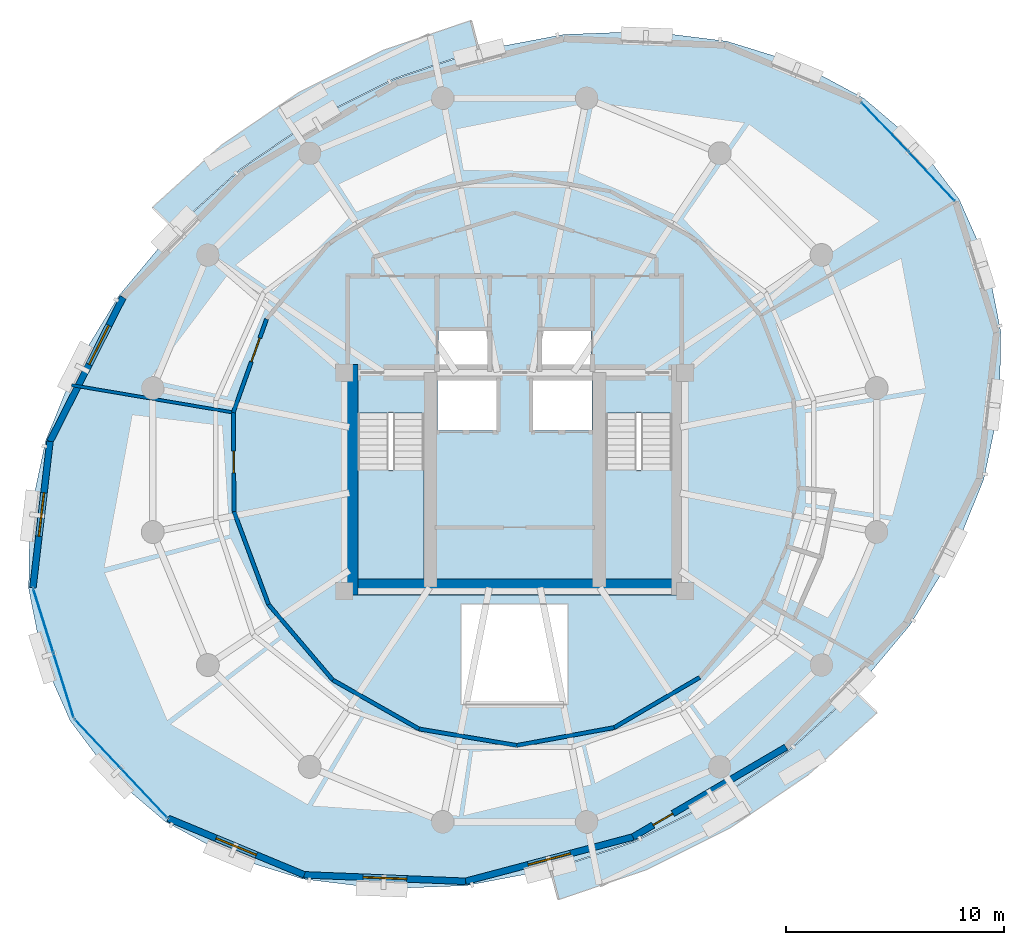
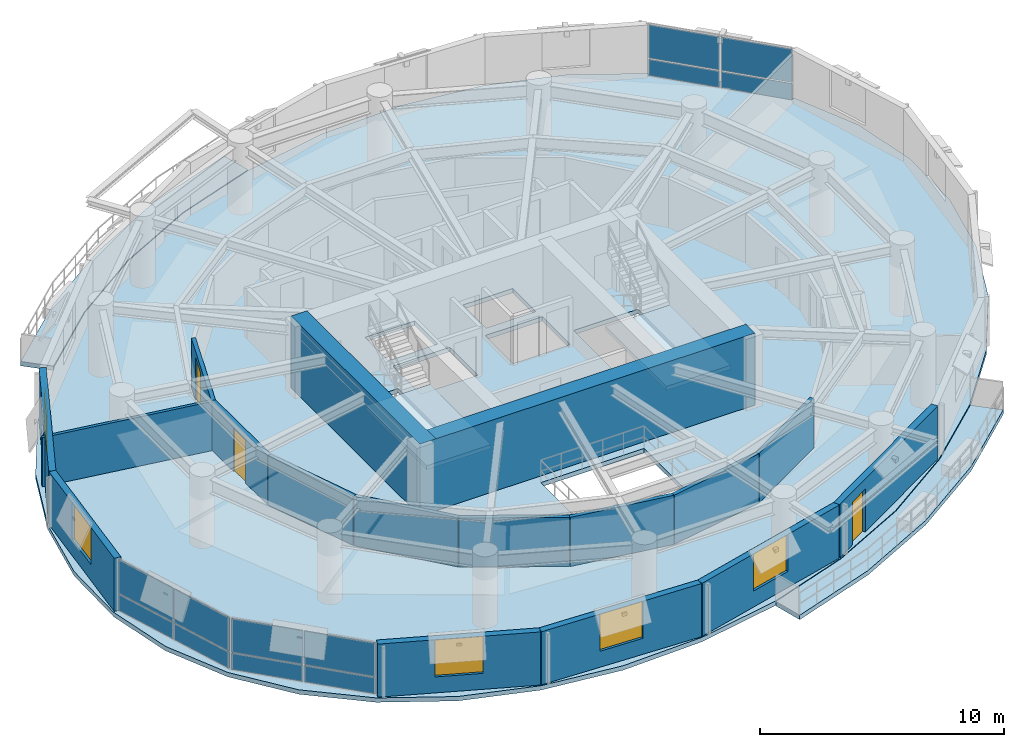
# One storey, part 9 of 14: 17 walls, 12 plates, 5 slabs, 5 windows, 3 doors, 8 openings, 5 elements without a shape of their own.
"""IFC4 building model written with IfcOpenShell, lengths in metres."""

from ifc_helpers import new_model, si_unit, direction, frame, frame_2d, origin, origin_2d, place, context, subcontext, project, spatial, polyline, rectangle, outline, extrude, material, layer, layer_set, type_object, element, fill, aggregate, save


model = new_model("IFC4")

# Units and contexts
model_context = context("Model", 3, precision=1e-05, world=origin(), true_north=direction((0.0, 1.0)))
body_context = subcontext(model_context, "Body", "Model", "MODEL_VIEW")
ifc_project = project(units=[si_unit("LENGTHUNIT", "METRE"), si_unit("AREAUNIT", "SQUARE_METRE"), si_unit("VOLUMEUNIT", "CUBIC_METRE"), si_unit("PLANEANGLEUNIT", "RADIAN"), si_unit("MASSUNIT", "GRAM", prefix="KILO"), si_unit("THERMODYNAMICTEMPERATUREUNIT", "KELVIN"), si_unit("POWERUNIT", "WATT")], contexts=[model_context])

# Site, building, storey
site_placement = place(None, origin())
site = spatial("IfcSite", under=ifc_project, at=site_placement, CompositionType="ELEMENT")
building_placement = place(site_placement, origin())
building = spatial("IfcBuilding", under=site, at=building_placement, Name="Ocrelia Relay Tower", CompositionType="ELEMENT")
storey_placement = place(building_placement, frame((0.0, 0.0, 162.800048828125)))
storey = spatial("IfcBuildingStorey", under=building, at=storey_placement, Name="L38", CompositionType="ELEMENT", Elevation=162.800048828125)

# Curtain wall, plates
ifc_material_1 = material(Name="Aluminium and solar-control low-E glass", Category="aluminium")
ifc_layer_1 = layer(ifc_material_1, 0.179931640625, Name="Aluminium and solar-control low-E glass")
ifc_layer_set_1 = layer_set([ifc_layer_1], Name="Aluminium and solar-control low-E glass")
curtain_wall_type = type_object("IfcCurtainWallType", Name="CW-SYS-Z3-CLOU", PredefinedType="NOTDEFINED", material=ifc_layer_set_1)
curtain_wall_1_placement = place(storey_placement, origin())
curtain_wall_1 = element("IfcCurtainWall", 1, at=curtain_wall_1_placement, inside=storey, type_object=curtain_wall_type, Name="L38 Elliptical Tower Curtain Wall Bay 01", PredefinedType="NOTDEFINED")
ifc_material_2 = material(Name="Clear double-glazed low-E glass", Category="glass")
ifc_layer_2 = layer(ifc_material_2, 0.031982421875, Name="Clear double-glazed low-E glass")
ifc_layer_set_2 = layer_set([ifc_layer_2], Name="Clear double-glazed low-E glass")
plate_type = type_object("IfcPlateType", Name="CW-SYS-Z3-CLOU-PNL", PredefinedType="CURTAIN_PANEL", material=ifc_layer_set_2)
plate_1_placement = place(storey_placement, frame((53.0927734375, 38.99462890625, 0.059814453125), z_axis=(0.0, 0.0, 1.0), x_axis=(-0.686840832526, 0.726807863727, 0.0)))
plate_1 = element("IfcPlate", 2, at=plate_1_placement, type_object=plate_type, Name="CW-Z3 panel 1.1", PredefinedType="CURTAIN_PANEL", context=body_context, shape_type="SweptSolid", body=[
    extrude(rectangle(XDim=3.0439453125, YDim=0.031982421875, at=origin_2d()), origin(), (0.0, 0.0, 1.0), 0.81005859375),
])
plate_2_placement = place(storey_placement, frame((53.0927734375, 38.99462890625, 0.929931640625), z_axis=(0.0, 0.0, 1.0), x_axis=(-0.686840832526, 0.726807863727, 0.0)))
plate_2 = element("IfcPlate", 3, at=plate_2_placement, type_object=plate_type, Name="CW-Z3 panel 1.2", PredefinedType="CURTAIN_PANEL", context=body_context, shape_type="SweptSolid", body=[
    extrude(rectangle(XDim=3.0439453125, YDim=0.031982421875, at=origin_2d()), origin(), (0.0, 0.0, 1.0), 1.669921875),
])
plate_3_placement = place(storey_placement, frame((50.95751953125, 41.254150390625, 0.059814453125), z_axis=(0.0, 0.0, 1.0), x_axis=(-0.686840832526, 0.726807863727, 0.0)))
plate_3 = element("IfcPlate", 4, at=plate_3_placement, type_object=plate_type, Name="CW-Z3 panel 2.1", PredefinedType="CURTAIN_PANEL", context=body_context, shape_type="SweptSolid", body=[
    extrude(rectangle(XDim=3.0439453125, YDim=0.031982421875, at=origin_2d()), origin(), (0.0, 0.0, 1.0), 0.81005859375),
])
plate_4_placement = place(storey_placement, frame((50.95751953125, 41.254150390625, 0.929931640625), z_axis=(0.0, 0.0, 1.0), x_axis=(-0.686840832526, 0.726807863727, 0.0)))
plate_4 = element("IfcPlate", 5, at=plate_4_placement, type_object=plate_type, Name="CW-Z3 panel 2.2", PredefinedType="CURTAIN_PANEL", context=body_context, shape_type="SweptSolid", body=[
    extrude(rectangle(XDim=3.0439453125, YDim=0.031982421875, at=origin_2d()), origin(), (0.0, 0.0, 1.0), 1.669921875),
])
aggregate(curtain_wall_1, [plate_1, plate_2, plate_3, plate_4])

curtain_wall_2_placement = place(storey_placement, origin())
curtain_wall_2 = element("IfcCurtainWall", 6, at=curtain_wall_2_placement, inside=storey, type_object=curtain_wall_type, Name="L38 Elliptical Tower Curtain Wall Bay 09", PredefinedType="NOTDEFINED")
plate_5_placement = place(storey_placement, frame((12.411376953125, 18.63916015625, 0.059814453125), z_axis=(0.0, 0.0, 1.0), x_axis=(0.299375021731, -0.954135523059, 0.0)))
plate_5 = element("IfcPlate", 7, at=plate_5_placement, type_object=plate_type, Name="CW-Z3 panel 1.1", PredefinedType="CURTAIN_PANEL", context=body_context, shape_type="SweptSolid", body=[
    extrude(rectangle(XDim=3.0439453125, YDim=0.031982421875, at=origin_2d()), origin(), (0.0, 0.0, 1.0), 0.81005859375),
])
plate_6_placement = place(storey_placement, frame((12.411376953125, 18.63916015625, 0.929931640625), z_axis=(0.0, 0.0, 1.0), x_axis=(0.299375021731, -0.954135523059, 0.0)))
plate_6 = element("IfcPlate", 8, at=plate_6_placement, type_object=plate_type, Name="CW-Z3 panel 1.2", PredefinedType="CURTAIN_PANEL", context=body_context, shape_type="SweptSolid", body=[
    extrude(rectangle(XDim=3.0439453125, YDim=0.031982421875, at=origin_2d()), origin(), (0.0, 0.0, 1.0), 1.669921875),
])
plate_7_placement = place(storey_placement, frame((13.342041015625, 15.6728515625, 0.059814453125), z_axis=(0.0, 0.0, 1.0), x_axis=(0.299375021731, -0.954135523059, 0.0)))
plate_7 = element("IfcPlate", 9, at=plate_7_placement, type_object=plate_type, Name="CW-Z3 panel 2.1", PredefinedType="CURTAIN_PANEL", context=body_context, shape_type="SweptSolid", body=[
    extrude(rectangle(XDim=3.0439453125, YDim=0.031982421875, at=origin_2d()), origin(), (0.0, 0.0, 1.0), 0.81005859375),
])
plate_8_placement = place(storey_placement, frame((13.342041015625, 15.6728515625, 0.929931640625), z_axis=(0.0, 0.0, 1.0), x_axis=(0.299375021731, -0.954135523059, 0.0)))
plate_8 = element("IfcPlate", 10, at=plate_8_placement, type_object=plate_type, Name="CW-Z3 panel 2.2", PredefinedType="CURTAIN_PANEL", context=body_context, shape_type="SweptSolid", body=[
    extrude(rectangle(XDim=3.0439453125, YDim=0.031982421875, at=origin_2d()), origin(), (0.0, 0.0, 1.0), 1.669921875),
])
aggregate(curtain_wall_2, [plate_5, plate_6, plate_7, plate_8])

curtain_wall_3_placement = place(storey_placement, origin())
curtain_wall_3 = element("IfcCurtainWall", 11, at=curtain_wall_3_placement, inside=storey, type_object=curtain_wall_type, Name="L38 Elliptical Tower Curtain Wall Bay 10", PredefinedType="NOTDEFINED")
plate_9_placement = place(storey_placement, frame((14.9072265625, 13.00537109375, 0.059814453125), z_axis=(0.0, 0.0, 1.0), x_axis=(0.686840832526, -0.726807863727, 0.0)))
plate_9 = element("IfcPlate", 12, at=plate_9_placement, type_object=plate_type, Name="CW-Z3 panel 1.1", PredefinedType="CURTAIN_PANEL", context=body_context, shape_type="SweptSolid", body=[
    extrude(rectangle(XDim=3.0439453125, YDim=0.031982421875, at=origin_2d()), origin(), (0.0, 0.0, 1.0), 0.81005859375),
])
plate_10_placement = place(storey_placement, frame((14.9072265625, 13.00537109375, 0.929931640625), z_axis=(0.0, 0.0, 1.0), x_axis=(0.686840832526, -0.726807863727, 0.0)))
plate_10 = element("IfcPlate", 13, at=plate_10_placement, type_object=plate_type, Name="CW-Z3 panel 1.2", PredefinedType="CURTAIN_PANEL", context=body_context, shape_type="SweptSolid", body=[
    extrude(rectangle(XDim=3.0439453125, YDim=0.031982421875, at=origin_2d()), origin(), (0.0, 0.0, 1.0), 1.669921875),
])
plate_11_placement = place(storey_placement, frame((17.04248046875, 10.745849609375, 0.059814453125), z_axis=(0.0, 0.0, 1.0), x_axis=(0.686840832526, -0.726807863727, 0.0)))
plate_11 = element("IfcPlate", 14, at=plate_11_placement, type_object=plate_type, Name="CW-Z3 panel 2.1", PredefinedType="CURTAIN_PANEL", context=body_context, shape_type="SweptSolid", body=[
    extrude(rectangle(XDim=3.0439453125, YDim=0.031982421875, at=origin_2d()), origin(), (0.0, 0.0, 1.0), 0.81005859375),
])
plate_12_placement = place(storey_placement, frame((17.04248046875, 10.745849609375, 0.929931640625), z_axis=(0.0, 0.0, 1.0), x_axis=(0.686840832526, -0.726807863727, 0.0)))
plate_12 = element("IfcPlate", 15, at=plate_12_placement, type_object=plate_type, Name="CW-Z3 panel 2.2", PredefinedType="CURTAIN_PANEL", context=body_context, shape_type="SweptSolid", body=[
    extrude(rectangle(XDim=3.0439453125, YDim=0.031982421875, at=origin_2d()), origin(), (0.0, 0.0, 1.0), 1.669921875),
])
aggregate(curtain_wall_3, [plate_9, plate_10, plate_11, plate_12])

# Slabs
ifc_material_3 = material(Name="Precast concrete C40/50", Category="concrete")
ifc_layer_3 = layer(ifc_material_3, 0.219970703125, Name="Precast concrete C40/50")
ifc_layer_set_3 = layer_set([ifc_layer_3], Name="Precast concrete C40/50")
slab_type_1 = type_object("IfcSlabType", Name="SL-BALC-220", PredefinedType="FLOOR", material=ifc_layer_set_3)
slab_1_placement = place(storey_placement, frame((0.0, 0.0, -0.219970703125)))
element("IfcSlab", 16, at=slab_1_placement, inside=storey, type_object=slab_type_1, Name="L38 Planted Loggia Balcony B1", PredefinedType="FLOOR", context=body_context, shape_type="SweptSolid", body=[
    extrude(outline(polyline([(32.347412109375, 44.78369140625), (30.42529296875, 44.129638671875), (28.5029296875, 43.475830078125), (24.82568359375, 41.637451171875), (21.4267578125, 39.32421875), (19.918212890625, 37.96533203125), (18.409423828125, 36.6064453125), (17.406494140625, 37.573486328125), (18.986572265625, 38.996826171875), (20.566650390625, 40.420166015625), (24.12060546875, 42.839111328125), (27.9658203125, 44.761474609375), (29.979248046875, 45.4462890625), (31.99267578125, 46.131103515625), (32.347412109375, 44.78369140625)])), origin(), (0.0, 0.0, 1.0), 0.219970703125),
])
slab_2_placement = place(storey_placement, frame((0.0, 0.0, -0.219970703125)))
element("IfcSlab", 17, at=slab_2_placement, inside=storey, type_object=slab_type_1, Name="L38 Planted Loggia Balcony B2", PredefinedType="FLOOR", context=body_context, shape_type="SweptSolid", body=[
    extrude(outline(polyline([(35.652587890625, 7.21630859375), (37.57470703125, 7.870361328125), (39.4970703125, 8.524169921875), (43.17431640625, 10.362548828125), (46.5732421875, 12.67578125), (48.081787109375, 14.03466796875), (49.590576171875, 15.3935546875), (50.593505859375, 14.426513671875), (49.013427734375, 13.003173828125), (47.433349609375, 11.579833984375), (43.87939453125, 9.160888671875), (40.0341796875, 7.238525390625), (38.020751953125, 6.5537109375), (36.00732421875, 5.868896484375), (35.652587890625, 7.21630859375)])), origin(), (0.0, 0.0, 1.0), 0.219970703125),
])
ifc_material_4 = material(Name="Concrete C50/60", Category="concrete")
ifc_layer_4 = layer(ifc_material_4, 0.219970703125, Name="Concrete C50/60")
ifc_layer_set_4 = layer_set([ifc_layer_4], Name="Concrete C50/60")
slab_type_2 = type_object("IfcSlabType", Name="SL-FLR-220", PredefinedType="FLOOR", material=ifc_layer_set_4)
slab_3_placement = place(storey_placement, frame((0.0, 0.0, -0.219970703125)))
element("IfcSlab", 18, at=slab_3_placement, inside=storey, type_object=slab_type_2, Name="L38 Elliptical Tower Floor Slab", PredefinedType="FLOOR", context=body_context, shape_type="SweptSolid", body=[
    extrude(outline(polyline([(54.355224609375, 37.9423828125), (52.45556640625, 40.471923828125), (49.9951171875, 42.5615234375), (47.048583984375, 44.148193359375), (43.705810546875, 45.183349609375), (40.06787109375, 45.635498046875), (36.24560546875, 45.4912109375), (32.35498046875, 44.75439453125), (28.5146484375, 43.447998046875), (24.8408203125, 41.611572265625), (21.4453125, 39.300537109375), (18.43115234375, 36.58544921875), (15.89013671875, 33.548828125), (13.8994140625, 30.28271484375), (12.51953125, 26.886474609375), (11.792236328125, 23.46337890625), (11.739501953125, 20.1171875), (12.36328125, 16.949951171875), (13.644775390625, 14.0576171875), (15.54443359375, 11.528076171875), (18.0048828125, 9.4384765625), (20.951416015625, 7.851806640625), (24.294189453125, 6.816650390625), (27.93212890625, 6.364501953125), (31.75439453125, 6.5087890625), (35.64501953125, 7.24560546875), (39.4853515625, 8.552001953125), (43.1591796875, 10.388427734375), (46.5546875, 12.699462890625), (49.56884765625, 15.41455078125), (52.10986328125, 18.451171875), (54.1005859375, 21.71728515625), (55.48046875, 25.113525390625), (56.207763671875, 28.53662109375), (56.260498046875, 31.8828125), (55.63671875, 35.050048828125), (54.355224609375, 37.9423828125)]), holes=[polyline([(26.81005859375, 28.14990234375), (26.81005859375, 20.550048828125), (29.85009765625, 20.550048828125), (29.85009765625, 28.14990234375), (26.81005859375, 28.14990234375)]), polyline([(38.159912109375, 28.14990234375), (38.159912109375, 20.550048828125), (41.199951171875, 20.550048828125), (41.199951171875, 28.14990234375), (38.159912109375, 28.14990234375)]), polyline([(30.4599609375, 27.35009765625), (33.159912109375, 27.35009765625), (33.159912109375, 29.64990234375), (30.4599609375, 29.64990234375), (30.4599609375, 27.35009765625)]), polyline([(34.840087890625, 27.35009765625), (37.5400390625, 27.35009765625), (37.5400390625, 29.64990234375), (34.840087890625, 29.64990234375), (34.840087890625, 27.35009765625)]), polyline([(30.5, 30.10009765625), (32.85009765625, 30.10009765625), (32.85009765625, 32.0), (30.5, 32.0), (30.5, 30.10009765625)]), polyline([(35.14990234375, 30.10009765625), (37.5, 30.10009765625), (37.5, 32.0), (35.14990234375, 32.0), (35.14990234375, 30.10009765625)]), polyline([(31.550048828125, 14.800048828125), (36.449951171875, 14.800048828125), (36.449951171875, 19.39990234375), (31.550048828125, 19.39990234375), (31.550048828125, 14.800048828125)])]), origin(), (0.0, 0.0, 1.0), 0.219970703125),
])

# Stair, slab
stair_type = type_object("IfcStairType", Name="ST-DL-1420-R180", PredefinedType="HALF_TURN_STAIR", material=ifc_material_4)
stair_1_placement = place(storey_placement, origin())
stair_1 = element("IfcStair", 19, at=stair_1_placement, inside=storey, type_object=stair_type, Name="L38 West Core Exit Stair ST1", PredefinedType="HALF_TURN_STAIR")
ifc_layer_5 = layer(ifc_material_4, 0.199951171875, Name="Concrete C50/60")
ifc_layer_set_5 = layer_set([ifc_layer_5], Name="Concrete C50/60")
slab_type_3 = type_object("IfcSlabType", Name="SL-LANDING-200", PredefinedType="LANDING", material=ifc_layer_set_5)
slab_4_placement = place(storey_placement, frame((0.0, 0.0, 1.599853515625)))
slab_4 = element("IfcSlab", 20, at=slab_4_placement, type_object=slab_type_3, Name="ST1 landing 1", PredefinedType="LANDING", context=body_context, shape_type="SweptSolid", body=[
    extrude(outline(polyline([(26.81005859375, 25.5400390625), (26.81005859375, 20.550048828125), (29.85009765625, 20.550048828125), (29.85009765625, 25.5400390625), (26.81005859375, 25.5400390625)])), origin(), (0.0, 0.0, 1.0), 0.2001953125),
])
aggregate(stair_1, [slab_4])

stair_2_placement = place(storey_placement, origin())
stair_2 = element("IfcStair", 21, at=stair_2_placement, inside=storey, type_object=stair_type, Name="L38 East Core Exit Stair ST2", PredefinedType="HALF_TURN_STAIR")
slab_5_placement = place(storey_placement, frame((0.0, 0.0, 1.599853515625)))
slab_5 = element("IfcSlab", 22, at=slab_5_placement, type_object=slab_type_3, Name="ST2 landing 1", PredefinedType="LANDING", context=body_context, shape_type="SweptSolid", body=[
    extrude(outline(polyline([(38.159912109375, 25.5400390625), (38.159912109375, 20.550048828125), (41.199951171875, 20.550048828125), (41.199951171875, 25.5400390625), (38.159912109375, 25.5400390625)])), origin(), (0.0, 0.0, 1.0), 0.2001953125),
])
aggregate(stair_2, [slab_5])

# Walls
ifc_material_5 = material(Name="Concrete C60/75", Category="concrete")
ifc_layer_6 = layer(ifc_material_5, 0.75, Name="Concrete C60/75")
ifc_layer_set_6 = layer_set([ifc_layer_6], Name="Concrete C60/75")
wall_type_1 = type_object("IfcWallType", Name="CW-CORE-750", PredefinedType="SHEAR", material=ifc_layer_set_6)
wall_1_placement = place(storey_placement, frame((26.072021484375, 20.18701171875, 0.0), z_axis=(0.0, 0.0, 1.0), x_axis=(1.0, 0.0, 0.0)))
element("IfcWall", 23, at=wall_1_placement, inside=storey, type_object=wall_type_1, Name="L38 Core Shear Wall S", PredefinedType="SHEAR", context=body_context, shape_type="SweptSolid", body=[
    extrude(rectangle(XDim=15.865966796875, YDim=0.75, at=frame_2d((7.93310546875, 0.0))), origin(), (0.0, 0.0, 1.0), 3.599853515625),
])
wall_2_placement = place(storey_placement, frame((26.447021484375, 19.81201171875, 0.0), z_axis=(0.0, 0.0, 1.0), x_axis=(0.0, 1.0, 0.0)))
element("IfcWall", 24, at=wall_2_placement, inside=storey, type_object=wall_type_1, Name="L38 Core Shear Wall W", PredefinedType="SHEAR", context=body_context, shape_type="SweptSolid", body=[
    extrude(rectangle(XDim=10.575927734375, YDim=0.75, at=frame_2d((5.2880859375, 0.0))), origin(), (0.0, 0.0, 1.0), 3.599853515625),
])

# Wall, opening, door
ifc_material_6 = material(Name="Gypsum Fireboard Partition EI60", Category="gypsum")
ifc_layer_7 = layer(ifc_material_6, 0.179931640625, Name="Gypsum Fireboard Partition EI60")
ifc_layer_set_7 = layer_set([ifc_layer_7], Name="Gypsum Fireboard Partition EI60")
wall_type_2 = type_object("IfcWallType", Name="W-CORR-EI60-180", PredefinedType="PARTITIONING", material=ifc_layer_set_7)
wall_3_placement = place(storey_placement, frame((22.6357421875, 32.455810546875, 0.0), z_axis=(0.0, 0.0, 1.0), x_axis=(-0.335460593336, -0.942054239584, 0.0)))
wall_3 = element("IfcWall", 25, at=wall_3_placement, inside=storey, type_object=wall_type_2, Name="L38 Cloud Engineering Workspace Corridor Partition 7", PredefinedType="PARTITIONING", context=body_context, shape_type="SweptSolid", body=[
    extrude(rectangle(XDim=4.5390625, YDim=0.179931640625, at=frame_2d((2.26953125, 0.0))), origin(), (0.0, 0.0, 1.0), 2.4599609375),
])
opening_1_placement = place(wall_3_placement, frame((0.92236328125, 0.0, 0.0)))
opening_1 = element("IfcOpeningElement", 26, at=opening_1_placement, cuts=wall_3, Name="Opening D-RM115", PredefinedType="OPENING", context=body_context, shape_type="SweptSolid", body=[
    extrude(rectangle(XDim=1.14990234375, YDim=2.14990234375, at=frame_2d((0.574951171875, 1.074951171875))), frame((0.0, 0.10009765625, 0.0), z_axis=(0.0, -1.0, 0.0), x_axis=(1.0, 0.0, 0.0)), (0.0, 0.0, 1.0), 0.199951171875),
])
ifc_material_7 = material(Name="Wide acoustic oak veneer fire door", Category="wood")
door_type_1 = type_object("IfcDoorType", Name="DR-ROOM-1150", OperationType="NOTDEFINED", PredefinedType="DOOR", material=ifc_material_7)
door_1_placement = place(opening_1_placement, origin())
door_1 = element("IfcDoor", 27, at=door_1_placement, inside=storey, type_object=door_type_1, Name="L38 Cloud Engineering Workspace Entrance Door", OperationType="SINGLE_SWING_LEFT", OverallHeight=2.14990234375, OverallWidth=1.14990234375, PredefinedType="DOOR", context=body_context, shape_type="SweptSolid", body=[
    extrude(rectangle(XDim=1.14990234375, YDim=2.14990234375, at=frame_2d((0.574951171875, 1.074951171875))), frame((0.0, 0.02490234375, 0.0), z_axis=(0.0, -1.0, 0.0), x_axis=(1.0, 0.0, 0.0)), (0.0, 0.0, 1.0), 0.050048828125),
])
fill(opening_1, door_1)

wall_4_placement = place(storey_placement, frame((21.113037109375, 28.1796875, 0.0), z_axis=(0.0, 0.0, 1.0), x_axis=(0.006992083808, -0.999975555083, 0.0)))
wall_4 = element("IfcWall", 28, at=wall_4_placement, inside=storey, type_object=wall_type_2, Name="L38 Protocol Simulation Studio Corridor Partition 1", PredefinedType="PARTITIONING", context=body_context, shape_type="SweptSolid", body=[
    extrude(rectangle(XDim=4.5390625, YDim=0.179931640625, at=frame_2d((2.26953125, 0.0))), origin(), (0.0, 0.0, 1.0), 2.4599609375),
])
opening_2_placement = place(wall_4_placement, frame((1.76953125, 0.0, 0.0)))
opening_2 = element("IfcOpeningElement", 29, at=opening_2_placement, cuts=wall_4, Name="Opening D-RM100", PredefinedType="OPENING", context=body_context, shape_type="SweptSolid", body=[
    extrude(rectangle(XDim=1.0, YDim=2.14990234375, at=frame_2d((0.5, 1.074951171875))), frame((0.0, 0.10009765625, 0.0), z_axis=(0.0, -1.0, 0.0), x_axis=(1.0, 0.0, 0.0)), (0.0, 0.0, 1.0), 0.199951171875),
])
ifc_material_8 = material(Name="Acoustic oak veneer fire door", Category="wood")
door_type_2 = type_object("IfcDoorType", Name="DR-ROOM-FD60-1000", OperationType="NOTDEFINED", PredefinedType="DOOR", material=ifc_material_8)
door_2_placement = place(opening_2_placement, origin())
door_2 = element("IfcDoor", 30, at=door_2_placement, inside=storey, type_object=door_type_2, Name="L38 Protocol Simulation Studio Entrance Door", OperationType="SINGLE_SWING_RIGHT", OverallHeight=2.14990234375, OverallWidth=1.0, PredefinedType="DOOR", context=body_context, shape_type="SweptSolid", body=[
    extrude(rectangle(XDim=1.0, YDim=2.14990234375, at=frame_2d((0.5, 1.074951171875))), frame((0.0, 0.02490234375, 0.0), z_axis=(0.0, -1.0, 0.0), x_axis=(1.0, 0.0, 0.0)), (0.0, 0.0, 1.0), 0.050048828125),
])
fill(opening_2, door_2)

# Walls
wall_5_placement = place(storey_placement, frame((21.144775390625, 23.640625, 0.0), z_axis=(0.0, 0.0, 1.0), x_axis=(0.348522756011, -0.937300319291, 0.0)))
element("IfcWall", 31, at=wall_5_placement, inside=storey, type_object=wall_type_2, Name="L38 Protocol Simulation Studio Corridor Partition 2", PredefinedType="PARTITIONING", context=body_context, shape_type="SweptSolid", body=[
    extrude(rectangle(XDim=4.539306640625, YDim=0.179931640625, at=frame_2d((2.26953125, 0.0))), origin(), (0.0, 0.0, 1.0), 2.4599609375),
])
for number, where, z_axis, x_axis, name in (
    (32, (22.726806640625, 19.385986328125, 0.0), (0.0, 0.0, 1.0), (0.648169730701, -0.761495896379, 0.0), "L38 Protocol Simulation Studio Corridor Partition 3"),
    (33, (25.6689453125, 15.929443359375, 0.0), (0.0, 0.0, 1.0), (0.869471783765, -0.493982608233, 0.0), "L38 Protocol Simulation Studio Corridor Partition 4"),
):
    element("IfcWall", number, at=place(storey_placement, frame(where, z_axis=z_axis, x_axis=x_axis)), inside=storey, type_object=wall_type_2, Name=name, PredefinedType="PARTITIONING", context=body_context, shape_type="SweptSolid", body=[
        extrude(rectangle(XDim=4.5390625, YDim=0.179931640625, at=frame_2d((2.26953125, 0.0))), origin(), (0.0, 0.0, 1.0), 2.4599609375),
    ])
wall_6_placement = place(storey_placement, frame((29.615478515625, 13.687255859375, 0.0), z_axis=(0.0, 0.0, 1.0), x_axis=(0.986003065616, -0.166727186135, 0.0)))
element("IfcWall", 34, at=wall_6_placement, inside=storey, type_object=wall_type_2, Name="L38 Protocol Simulation Studio Corridor Partition 5", PredefinedType="PARTITIONING", context=body_context, shape_type="SweptSolid", body=[
    extrude(rectangle(XDim=4.539306640625, YDim=0.179931640625, at=frame_2d((2.26953125, 0.0))), origin(), (0.0, 0.0, 1.0), 2.4599609375),
])
for number, where, z_axis, x_axis, name in (
    (35, (34.09130859375, 12.930419921875, 0.0), (0.0, 0.0, 1.0), (0.983574264577, 0.180503922564, 0.0), "L38 Protocol Simulation Studio Corridor Partition 6"),
    (36, (38.555908203125, 13.749755859375, 0.0), (0.0, 0.0, 1.0), (0.862519897699, 0.506023147764, 0.0), "L38 Protocol Simulation Studio Corridor Partition 7"),
):
    element("IfcWall", number, at=place(storey_placement, frame(where, z_axis=z_axis, x_axis=x_axis)), inside=storey, type_object=wall_type_2, Name=name, PredefinedType="PARTITIONING", context=body_context, shape_type="SweptSolid", body=[
        extrude(rectangle(XDim=4.5390625, YDim=0.179931640625, at=frame_2d((2.26953125, 0.0))), origin(), (0.0, 0.0, 1.0), 2.4599609375),
    ])

# Wall, opening, window
ifc_material_9 = material(Name="Precast concrete C40/50 with oxide terracotta", Category="masonry")
ifc_layer_8 = layer(ifc_material_9, 0.300048828125, Name="Precast concrete C40/50 with oxide terracotta")
ifc_layer_set_8 = layer_set([ifc_layer_8], Name="Precast concrete C40/50 with oxide terracotta")
wall_type_3 = type_object("IfcWallType", Name="W-EXT-TERR-300", PredefinedType="SOLIDWALL", material=ifc_layer_set_8)
wall_7_placement = place(storey_placement, frame((16.064208984375, 33.449951171875, 0.0), z_axis=(0.0, 0.0, 1.0), x_axis=(-0.452499388609, -0.891764712976, 0.0)))
wall_7 = element("IfcWall", 37, at=wall_7_placement, inside=storey, type_object=wall_type_3, Name="L38 Oxide Terracotta Facade Wall 07", PredefinedType="SOLIDWALL", context=body_context, shape_type="SweptSolid", body=[
    extrude(rectangle(XDim=7.397705078125, YDim=0.300048828125, at=frame_2d((3.69873046875, 0.0))), origin(), (0.0, 0.0, 1.0), 2.659912109375),
])
opening_3_placement = place(wall_7_placement, frame((1.43896484375, 0.0, 0.800048828125)))
opening_3 = element("IfcOpeningElement", 38, at=opening_3_placement, cuts=wall_7, Name="Opening W-03", PredefinedType="OPENING", context=body_context, shape_type="SweptSolid", body=[
    extrude(rectangle(XDim=2.0, YDim=1.85009765625, at=frame_2d((1.0, 0.925048828125))), frame((0.0, 0.16015625, 0.0), z_axis=(0.0, -1.0, 0.0), x_axis=(1.0, 0.0, 0.0)), (0.0, 0.0, 1.0), 0.320068359375),
])
window_type = type_object("IfcWindowType", Name="WIN-Z3-2000x2200", PartitioningType="DOUBLE_PANEL_VERTICAL", PredefinedType="WINDOW", material=ifc_material_2)
window_1_placement = place(opening_3_placement, origin())
window_1 = element("IfcWindow", 39, at=window_1_placement, inside=storey, type_object=window_type, Name="L38 Facade Module Window 07", OverallHeight=1.85009765625, OverallWidth=2.0, PartitioningType="SINGLE_PANEL", PredefinedType="WINDOW", context=body_context, shape_type="SweptSolid", body=[
    extrude(rectangle(XDim=2.0, YDim=1.85009765625, at=frame_2d((1.0, 0.925048828125))), frame((0.0, 0.030029296875, 0.0), z_axis=(0.0, -1.0, 0.0), x_axis=(1.0, 0.0, 0.0)), (0.0, 0.0, 1.0), 0.06005859375),
])
fill(opening_3, window_1)

wall_8_placement = place(storey_placement, frame((12.716796875, 26.85302734375, 0.0), z_axis=(0.0, 0.0, 1.0), x_axis=(-0.115717623962, -0.993282151005, 0.0)))
wall_8 = element("IfcWall", 40, at=wall_8_placement, inside=storey, type_object=wall_type_3, Name="L38 Oxide Terracotta Facade Wall 08", PredefinedType="SOLIDWALL", context=body_context, shape_type="SweptSolid", body=[
    extrude(rectangle(XDim=6.7451171875, YDim=0.300048828125, at=frame_2d((3.37255859375, 0.0))), origin(), (0.0, 0.0, 1.0), 2.659912109375),
])
opening_4_placement = place(wall_8_placement, frame((2.3720703125, 0.0, 0.800048828125)))
opening_4 = element("IfcOpeningElement", 41, at=opening_4_placement, cuts=wall_8, Name="Opening W-03", PredefinedType="OPENING", context=body_context, shape_type="SweptSolid", body=[
    extrude(rectangle(XDim=2.0, YDim=1.85009765625, at=frame_2d((1.0, 0.925048828125))), frame((0.0, 0.16015625, 0.0), z_axis=(0.0, -1.0, 0.0), x_axis=(1.0, 0.0, 0.0)), (0.0, 0.0, 1.0), 0.320068359375),
])
window_2_placement = place(opening_4_placement, origin())
window_2 = element("IfcWindow", 42, at=window_2_placement, inside=storey, type_object=window_type, Name="L38 Facade Module Window 08", OverallHeight=1.85009765625, OverallWidth=2.0, PartitioningType="SINGLE_PANEL", PredefinedType="WINDOW", context=body_context, shape_type="SweptSolid", body=[
    extrude(rectangle(XDim=2.0, YDim=1.85009765625, at=frame_2d((1.0, 0.925048828125))), frame((0.0, 0.030029296875, 0.0), z_axis=(0.0, -1.0, 0.0), x_axis=(1.0, 0.0, 0.0)), (0.0, 0.0, 1.0), 0.06005859375),
])
fill(opening_4, window_2)

wall_9_placement = place(storey_placement, frame((18.13232421875, 9.592529296875, 0.0), z_axis=(0.0, 0.0, 1.0), x_axis=(0.923498294405, -0.383602528969, 0.0)))
wall_9 = element("IfcWall", 43, at=wall_9_placement, inside=storey, type_object=wall_type_3, Name="L38 Oxide Terracotta Facade Wall 11", PredefinedType="SOLIDWALL", context=body_context, shape_type="SweptSolid", body=[
    extrude(rectangle(XDim=6.7451171875, YDim=0.300048828125, at=frame_2d((3.37255859375, 0.0))), origin(), (0.0, 0.0, 1.0), 2.659912109375),
])
opening_5_placement = place(wall_9_placement, frame((2.373046875, 0.0, 0.800048828125)))
opening_5 = element("IfcOpeningElement", 44, at=opening_5_placement, cuts=wall_9, Name="Opening W-03", PredefinedType="OPENING", context=body_context, shape_type="SweptSolid", body=[
    extrude(rectangle(XDim=2.0, YDim=1.85009765625, at=frame_2d((1.0, 0.925048828125))), frame((0.0, 0.16015625, 0.0), z_axis=(0.0, -1.0, 0.0), x_axis=(1.0, 0.0, 0.0)), (0.0, 0.0, 1.0), 0.320068359375),
])
window_3_placement = place(opening_5_placement, origin())
window_3 = element("IfcWindow", 45, at=window_3_placement, inside=storey, type_object=window_type, Name="L38 Facade Module Window 11", OverallHeight=1.85009765625, OverallWidth=2.0, PartitioningType="SINGLE_PANEL", PredefinedType="WINDOW", context=body_context, shape_type="SweptSolid", body=[
    extrude(rectangle(XDim=2.0, YDim=1.85009765625, at=frame_2d((1.0, 0.925048828125))), frame((0.0, 0.030029296875, 0.0), z_axis=(0.0, -1.0, 0.0), x_axis=(1.0, 0.0, 0.0)), (0.0, 0.0, 1.0), 0.06005859375),
])
fill(opening_5, window_3)

wall_10_placement = place(storey_placement, frame((24.361328125, 7.005126953125, 0.0), z_axis=(0.0, 0.0, 1.0), x_axis=(0.999197105631, -0.040064249636, 0.0)))
wall_10 = element("IfcWall", 46, at=wall_10_placement, inside=storey, type_object=wall_type_3, Name="L38 Oxide Terracotta Facade Wall 12", PredefinedType="SOLIDWALL", context=body_context, shape_type="SweptSolid", body=[
    extrude(rectangle(XDim=7.397705078125, YDim=0.300048828125, at=frame_2d((3.69873046875, 0.0))), origin(), (0.0, 0.0, 1.0), 2.659912109375),
])
opening_6_placement = place(wall_10_placement, frame((2.698974609375, 0.0, 0.800048828125)))
opening_6 = element("IfcOpeningElement", 47, at=opening_6_placement, cuts=wall_10, Name="Opening W-03", PredefinedType="OPENING", context=body_context, shape_type="SweptSolid", body=[
    extrude(rectangle(XDim=2.0, YDim=1.85009765625, at=frame_2d((1.0, 0.925048828125))), frame((0.0, 0.16015625, 0.0), z_axis=(0.0, -1.0, 0.0), x_axis=(1.0, 0.0, 0.0)), (0.0, 0.0, 1.0), 0.320068359375),
])
window_4_placement = place(opening_6_placement, origin())
window_4 = element("IfcWindow", 48, at=window_4_placement, inside=storey, type_object=window_type, Name="L38 Facade Module Window 12", OverallHeight=1.85009765625, OverallWidth=2.0, PartitioningType="SINGLE_PANEL", PredefinedType="WINDOW", context=body_context, shape_type="SweptSolid", body=[
    extrude(rectangle(XDim=2.0, YDim=1.85009765625, at=frame_2d((1.0, 0.925048828125))), frame((0.0, 0.030029296875, 0.0), z_axis=(0.0, -1.0, 0.0), x_axis=(1.0, 0.0, 0.0)), (0.0, 0.0, 1.0), 0.06005859375),
])
fill(opening_6, window_4)

wall_11_placement = place(storey_placement, frame((31.753173828125, 6.708740234375, 0.0), z_axis=(0.0, 0.0, 1.0), x_axis=(0.966629447566, 0.256178670262, 0.0)))
wall_11 = element("IfcWall", 49, at=wall_11_placement, inside=storey, type_object=wall_type_3, Name="L38 Oxide Terracotta Facade Wall 13", PredefinedType="SOLIDWALL", context=body_context, shape_type="SweptSolid", body=[
    extrude(rectangle(XDim=7.92724609375, YDim=0.300048828125, at=frame_2d((3.963623046875, 0.0))), origin(), (0.0, 0.0, 1.0), 2.659912109375),
])
opening_7_placement = place(wall_11_placement, frame((2.964111328125, 0.0, 0.800048828125)))
opening_7 = element("IfcOpeningElement", 50, at=opening_7_placement, cuts=wall_11, Name="Opening W-03", PredefinedType="OPENING", context=body_context, shape_type="SweptSolid", body=[
    extrude(rectangle(XDim=2.0, YDim=1.85009765625, at=frame_2d((1.0, 0.925048828125))), frame((0.0, 0.16015625, 0.0), z_axis=(0.0, -1.0, 0.0), x_axis=(1.0, 0.0, 0.0)), (0.0, 0.0, 1.0), 0.320068359375),
])
window_5_placement = place(opening_7_placement, origin())
window_5 = element("IfcWindow", 51, at=window_5_placement, inside=storey, type_object=window_type, Name="L38 Facade Module Window 13", OverallHeight=1.85009765625, OverallWidth=2.0, PartitioningType="SINGLE_PANEL", PredefinedType="WINDOW", context=body_context, shape_type="SweptSolid", body=[
    extrude(rectangle(XDim=2.0, YDim=1.85009765625, at=frame_2d((1.0, 0.925048828125))), frame((0.0, 0.030029296875, 0.0), z_axis=(0.0, -1.0, 0.0), x_axis=(1.0, 0.0, 0.0)), (0.0, 0.0, 1.0), 0.06005859375),
])
fill(opening_7, window_5)

# Wall, opening, door
wall_12_placement = place(storey_placement, frame((39.415771484375, 8.739501953125, 0.0), z_axis=(0.0, 0.0, 1.0), x_axis=(0.862514416007, 0.50603249123, 0.0)))
wall_12 = element("IfcWall", 52, at=wall_12_placement, inside=storey, type_object=wall_type_3, Name="L38 Oxide Terracotta Facade Wall 14", PredefinedType="SOLIDWALL", context=body_context, shape_type="SweptSolid", body=[
    extrude(rectangle(XDim=8.12646484375, YDim=0.300048828125, at=frame_2d((4.063232421875, 0.0))), origin(), (0.0, 0.0, 1.0), 2.659912109375),
])
opening_8_placement = place(wall_12_placement, frame((1.070068359375, 0.0, 0.0)))
opening_8 = element("IfcOpeningElement", 53, at=opening_8_placement, cuts=wall_12, Name="Opening DB-105", PredefinedType="OPENING", context=body_context, shape_type="SweptSolid", body=[
    extrude(rectangle(XDim=1.050048828125, YDim=2.14990234375, at=frame_2d((0.52490234375, 1.074951171875))), frame((0.0, 0.16015625, 0.0), z_axis=(0.0, -1.0, 0.0), x_axis=(1.0, 0.0, 0.0)), (0.0, 0.0, 1.0), 0.320068359375),
])
ifc_material_10 = material(Name="Thermally broken aluminium and clear glass", Category="aluminium")
door_type_3 = type_object("IfcDoorType", Name="DR-BALC-1050", OperationType="NOTDEFINED", PredefinedType="DOOR", material=ifc_material_10)
door_3_placement = place(opening_8_placement, origin())
door_3 = element("IfcDoor", 54, at=door_3_placement, inside=storey, type_object=door_type_3, Name="L38 Planted Loggia Balcony Door B2", OperationType="SINGLE_SWING_LEFT", OverallHeight=2.14990234375, OverallWidth=1.050048828125, PredefinedType="DOOR", context=body_context, shape_type="SweptSolid", body=[
    extrude(rectangle(XDim=1.050048828125, YDim=2.14990234375, at=frame_2d((0.52490234375, 1.074951171875))), frame((0.0, 0.02490234375, 0.0), z_axis=(0.0, -1.0, 0.0), x_axis=(1.0, 0.0, 0.0)), (0.0, 0.0, 1.0), 0.050048828125),
])
fill(opening_8, door_3)

# Wall
ifc_material_11 = material(Name="Acoustic Fireboard Partition EI60", Category="gypsum")
ifc_layer_9 = layer(ifc_material_11, 0.139892578125, Name="Acoustic Fireboard Partition EI60")
ifc_layer_set_9 = layer_set([ifc_layer_9], Name="Acoustic Fireboard Partition EI60")
wall_type_4 = type_object("IfcWallType", Name="W-PART-140", PredefinedType="PARTITIONING", material=ifc_layer_set_9)
wall_13_placement = place(storey_placement, frame((21.113037109375, 28.1796875, 0.0), z_axis=(0.0, 0.0, 1.0), x_axis=(-0.985998325655, 0.16675521523, 0.0)))
element("IfcWall", 55, at=wall_13_placement, inside=storey, type_object=wall_type_4, Name="L38 Cloud Engineering Workspace Radial Partition", PredefinedType="PARTITIONING", context=body_context, shape_type="SweptSolid", body=[
    extrude(rectangle(XDim=7.50927734375, YDim=0.139892578125, at=frame_2d((3.754638671875, 0.0))), origin(), (0.0, 0.0, 1.0), 2.4599609375),
])

save(model, "model.ifc")
